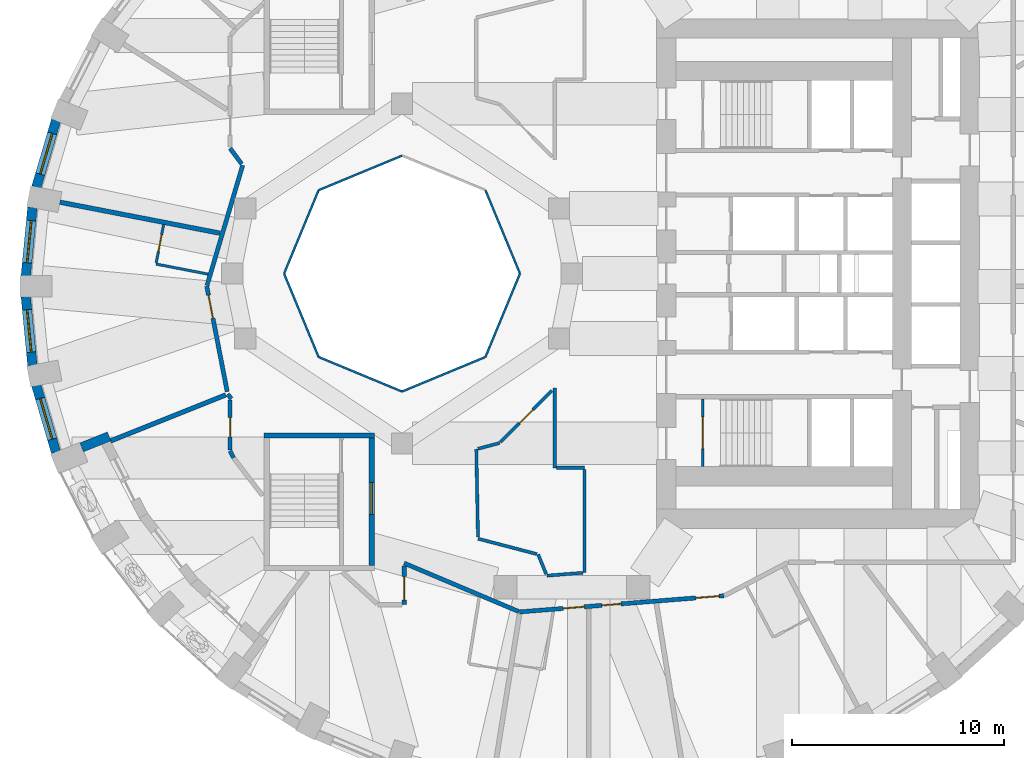
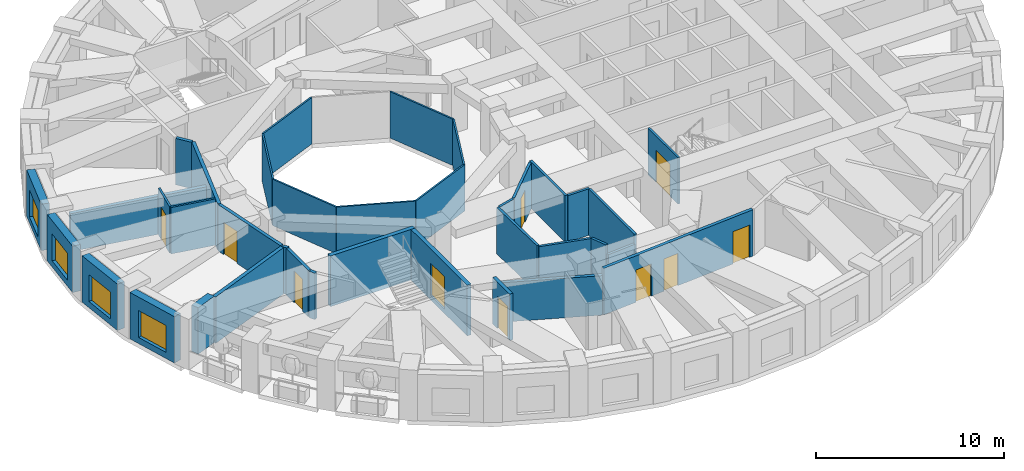
# One storey, part 4 of 12: 37 walls, 10 doors, 4 windows, 14 openings.
"""IFC4 building model written with IfcOpenShell, lengths in metres."""

from ifc_helpers import new_model, si_unit, direction, frame, frame_2d, origin, place, context, subcontext, project, spatial, rectangle, extrude, material, layer, layer_set, type_object, element, fill, save


model = new_model("IFC4")

# Units and contexts
model_context = context("Model", 3, precision=1e-05, world=origin(), true_north=direction((0.0, 1.0)))
body_context = subcontext(model_context, "Body", "Model", "MODEL_VIEW")
ifc_project = project(units=[si_unit("LENGTHUNIT", "METRE"), si_unit("AREAUNIT", "SQUARE_METRE"), si_unit("VOLUMEUNIT", "CUBIC_METRE"), si_unit("PLANEANGLEUNIT", "RADIAN"), si_unit("MASSUNIT", "GRAM", prefix="KILO")], contexts=[model_context])

# Site, building, storey
site_placement = place(None, origin())
site = spatial("IfcSite", under=ifc_project, at=site_placement, CompositionType="ELEMENT")
building_placement = place(site_placement, origin())
building = spatial("IfcBuilding", under=site, at=building_placement, Name="Taillehof Tower", CompositionType="ELEMENT")
storey_placement = place(building_placement, frame((0.0, 0.0, 88.89990234375)))
storey = spatial("IfcBuildingStorey", under=building, at=storey_placement, Name="L24", CompositionType="ELEMENT", Elevation=88.89990234375)

# Walls
ifc_material_1 = material(Name="Fire-resisting glass in steel frame", Category="steel")
ifc_layer_1 = layer(ifc_material_1, 0.10009765625)
ifc_layer_set_1 = layer_set([ifc_layer_1], Name="Atrium fire-resisting screen EI 60 100")
wall_type_1 = type_object("IfcWallType", Name="Atrium fire-resisting screen EI 60 100", PredefinedType="PARTITIONING", material=ifc_layer_set_1)
for number, where, z_axis, x_axis, name in (
    (1, (-2.44580078125, 0.0, 0.0), (0.0, 0.0, 1.0), (-0.382730523909, -0.923860025149, 0.0), "Atrium screen"),
    (2, (-4.07275390625, -3.92724609375, 0.0), (0.0, 0.0, 1.0), (-0.923860025149, -0.382730523909, 0.0), "Atrium screen"),
    (3, (-8.0, -5.55419921875, 0.0), (0.0, 0.0, 1.0), (-0.923860025149, 0.382730523909, 0.0), "Atrium screen"),
    (4, (-11.92724609375, -3.92724609375, 0.0), (0.0, 0.0, 1.0), (-0.382730523909, 0.923860025149, 0.0), "Atrium screen"),
    (5, (-13.55419921875, 0.0, 0.0), (0.0, 0.0, 1.0), (0.382730523909, 0.923860025149, 0.0), "Atrium screen"),
    (6, (-11.92724609375, 3.92724609375, 0.0), (0.0, 0.0, 1.0), (0.923860025149, 0.382730523909, 0.0), "Atrium screen"),
    (7, (-4.07275390625, 3.92724609375, 0.0), (0.0, 0.0, 1.0), (0.382730523909, -0.923860025149, 0.0), "Atrium screen"),
):
    element("IfcWall", number, at=place(storey_placement, frame(where, z_axis=z_axis, x_axis=x_axis)), inside=storey, type_object=wall_type_1, Name=name, PredefinedType="PARTITIONING", context=body_context, shape_type="SweptSolid", body=[
        extrude(rectangle(XDim=4.2509765625, YDim=0.10009765625, at=frame_2d((2.12548828125, 0.0))), origin(), (0.0, 0.0, 1.0), 3.02001953125),
    ])

# Wall, opening, window
ifc_material_2 = material(Name="Brick masonry", Category="masonry")
ifc_layer_2 = layer(ifc_material_2, 0.449951171875)
ifc_layer_set_2 = layer_set([ifc_layer_2], Name="Brick infill wall 450")
wall_type_2 = type_object("IfcWallType", Name="Brick infill wall 450", PredefinedType="SOLIDWALL", material=ifc_layer_set_2)
wall_1_placement = place(storey_placement, frame((-24.302001953125, 7.220703125, 0.0), z_axis=(0.0, 0.0, 1.0), x_axis=(-0.283071248438, -0.959098883488, 0.0)))
wall_1 = element("IfcWall", 8, at=wall_1_placement, inside=storey, type_object=wall_type_2, Name="Brick wall L24 bay 17", PredefinedType="SOLIDWALL", context=body_context, shape_type="SweptSolid", body=[
    extrude(rectangle(XDim=3.2861328125, YDim=0.449951171875, at=frame_2d((1.64306640625, 0.0))), origin(), (0.0, 0.0, 1.0), 3.02001953125),
])
opening_1_placement = place(wall_1_placement, frame((0.64306640625, 0.0, 0.39990234375)))
opening_1 = element("IfcOpeningElement", 9, at=opening_1_placement, cuts=wall_1, Name="Opening W2", PredefinedType="OPENING", context=body_context, shape_type="SweptSolid", body=[
    extrude(rectangle(XDim=2.0, YDim=1.75, at=frame_2d((1.0, 0.875))), frame((0.0, 0.23486328125, 0.0), z_axis=(0.0, -1.0, 0.0), x_axis=(1.0, 0.0, 0.0)), (0.0, 0.0, 1.0), 0.469970703125),
])
ifc_material_3 = material(Name="Aluminium window frame with clear double glazing", Category="aluminium")
window_type = type_object("IfcWindowType", Name="Deep-set window 2000x1750", PartitioningType="SINGLE_PANEL", PredefinedType="WINDOW", material=ifc_material_3)
window_1_placement = place(opening_1_placement, origin())
window_1 = element("IfcWindow", 10, at=window_1_placement, inside=storey, type_object=window_type, Name="W2", OverallHeight=1.75, OverallWidth=2.0, PartitioningType="SINGLE_PANEL", PredefinedType="WINDOW", context=body_context, shape_type="SweptSolid", body=[
    extrude(rectangle(XDim=2.0, YDim=1.75, at=frame_2d((1.0, 0.875))), frame((0.0, 0.034912109375, 0.0), z_axis=(0.0, -1.0, 0.0), x_axis=(1.0, 0.0, 0.0)), (0.0, 0.0, 1.0), 0.06005859375),
])
fill(opening_1, window_1)

wall_2_placement = place(storey_placement, frame((-25.414794921875, 3.12646484375, 0.0), z_axis=(0.0, 0.0, 1.0), x_axis=(-0.095967726544, -0.995384446062, 0.0)))
wall_2 = element("IfcWall", 11, at=wall_2_placement, inside=storey, type_object=wall_type_2, Name="Brick wall L24 bay 18", PredefinedType="SOLIDWALL", context=body_context, shape_type="SweptSolid", body=[
    extrude(rectangle(XDim=3.261474609375, YDim=0.449951171875, at=frame_2d((1.630859375, 0.0))), origin(), (0.0, 0.0, 1.0), 3.02001953125),
])
opening_2_placement = place(wall_2_placement, frame((0.630615234375, 0.0, 0.39990234375)))
opening_2 = element("IfcOpeningElement", 12, at=opening_2_placement, cuts=wall_2, Name="Opening W2", PredefinedType="OPENING", context=body_context, shape_type="SweptSolid", body=[
    extrude(rectangle(XDim=2.0, YDim=1.75, at=frame_2d((1.0, 0.875))), frame((0.0, 0.23486328125, 0.0), z_axis=(0.0, -1.0, 0.0), x_axis=(1.0, 0.0, 0.0)), (0.0, 0.0, 1.0), 0.469970703125),
])
window_2_placement = place(opening_2_placement, origin())
window_2 = element("IfcWindow", 13, at=window_2_placement, inside=storey, type_object=window_type, Name="W2", OverallHeight=1.75, OverallWidth=2.0, PartitioningType="SINGLE_PANEL", PredefinedType="WINDOW", context=body_context, shape_type="SweptSolid", body=[
    extrude(rectangle(XDim=2.0, YDim=1.75, at=frame_2d((1.0, 0.875))), frame((0.0, 0.034912109375, 0.0), z_axis=(0.0, -1.0, 0.0), x_axis=(1.0, 0.0, 0.0)), (0.0, 0.0, 1.0), 0.06005859375),
])
fill(opening_2, window_2)

wall_3_placement = place(storey_placement, frame((-25.727783203125, -1.080078125, 0.0), z_axis=(0.0, 0.0, 1.0), x_axis=(0.095967726544, -0.995384446062, 0.0)))
wall_3 = element("IfcWall", 14, at=wall_3_placement, inside=storey, type_object=wall_type_2, Name="Brick wall L24 bay 19", PredefinedType="SOLIDWALL", context=body_context, shape_type="SweptSolid", body=[
    extrude(rectangle(XDim=3.261474609375, YDim=0.449951171875, at=frame_2d((1.630859375, 0.0))), origin(), (0.0, 0.0, 1.0), 3.02001953125),
])
opening_3_placement = place(wall_3_placement, frame((0.630615234375, 0.0, 0.39990234375)))
opening_3 = element("IfcOpeningElement", 15, at=opening_3_placement, cuts=wall_3, Name="Opening W2", PredefinedType="OPENING", context=body_context, shape_type="SweptSolid", body=[
    extrude(rectangle(XDim=2.0, YDim=1.75, at=frame_2d((1.0, 0.875))), frame((0.0, 0.23486328125, 0.0), z_axis=(0.0, -1.0, 0.0), x_axis=(1.0, 0.0, 0.0)), (0.0, 0.0, 1.0), 0.469970703125),
])
window_3_placement = place(opening_3_placement, origin())
window_3 = element("IfcWindow", 16, at=window_3_placement, inside=storey, type_object=window_type, Name="W2", OverallHeight=1.75, OverallWidth=2.0, PartitioningType="SINGLE_PANEL", PredefinedType="WINDOW", context=body_context, shape_type="SweptSolid", body=[
    extrude(rectangle(XDim=2.0, YDim=1.75, at=frame_2d((1.0, 0.875))), frame((0.0, 0.034912109375, 0.0), z_axis=(0.0, -1.0, 0.0), x_axis=(1.0, 0.0, 0.0)), (0.0, 0.0, 1.0), 0.06005859375),
])
fill(opening_3, window_3)

wall_4_placement = place(storey_placement, frame((-25.232177734375, -5.26904296875, 0.0), z_axis=(0.0, 0.0, 1.0), x_axis=(0.283051078697, -0.959104836214, 0.0)))
wall_4 = element("IfcWall", 17, at=wall_4_placement, inside=storey, type_object=wall_type_2, Name="Brick wall L24 bay 20", PredefinedType="SOLIDWALL", context=body_context, shape_type="SweptSolid", body=[
    extrude(rectangle(XDim=3.2861328125, YDim=0.449951171875, at=frame_2d((1.64306640625, 0.0))), origin(), (0.0, 0.0, 1.0), 3.02001953125),
])
opening_4_placement = place(wall_4_placement, frame((0.64306640625, 0.0, 0.39990234375)))
opening_4 = element("IfcOpeningElement", 18, at=opening_4_placement, cuts=wall_4, Name="Opening W2", PredefinedType="OPENING", context=body_context, shape_type="SweptSolid", body=[
    extrude(rectangle(XDim=2.0, YDim=1.75, at=frame_2d((1.0, 0.875))), frame((0.0, 0.23486328125, 0.0), z_axis=(0.0, -1.0, 0.0), x_axis=(1.0, 0.0, 0.0)), (0.0, 0.0, 1.0), 0.469970703125),
])
window_4_placement = place(opening_4_placement, origin())
window_4 = element("IfcWindow", 19, at=window_4_placement, inside=storey, type_object=window_type, Name="W2", OverallHeight=1.75, OverallWidth=2.0, PartitioningType="SINGLE_PANEL", PredefinedType="WINDOW", context=body_context, shape_type="SweptSolid", body=[
    extrude(rectangle(XDim=2.0, YDim=1.75, at=frame_2d((1.0, 0.875))), frame((0.0, 0.034912109375, 0.0), z_axis=(0.0, -1.0, 0.0), x_axis=(1.0, 0.0, 0.0)), (0.0, 0.0, 1.0), 0.06005859375),
])
fill(opening_4, window_4)

# Walls
wall_5_placement = place(storey_placement, frame((-23.09326171875, -8.18701171875, 0.0), z_axis=(0.0, 0.0, 1.0), x_axis=(0.928549333349, 0.371209018665, 0.0)))
element("IfcWall", 20, at=wall_5_placement, inside=storey, type_object=wall_type_2, Name="Brick reveal L24 pocket 6", PredefinedType="SOLIDWALL", context=body_context, shape_type="SweptSolid", body=[
    extrude(rectangle(XDim=1.390380859375, YDim=0.449951171875, at=frame_2d((0.6953125, 0.0))), origin(), (0.0, 0.0, 1.0), 3.02001953125),
])
ifc_material_4 = material(Name="Gypsum board on steel studs, two layers each side", Category="steel")
ifc_layer_3 = layer(ifc_material_4, 0.199951171875)
ifc_layer_set_3 = layer_set([ifc_layer_3], Name="Compartment wall corridor 200")
wall_type_3 = type_object("IfcWallType", Name="Compartment wall corridor 200", PredefinedType="PARTITIONING", material=ifc_layer_set_3)
wall_6_placement = place(storey_placement, frame((-15.937744140625, -8.67626953125, 0.0), z_axis=(0.0, 0.0, 1.0), x_axis=(-0.456525695549, 0.889710227717, 0.0)))
element("IfcWall", 21, at=wall_6_placement, inside=storey, type_object=wall_type_3, Name="Compartment wall", PredefinedType="PARTITIONING", context=body_context, shape_type="SweptSolid", body=[
    extrude(rectangle(XDim=0.355712890625, YDim=0.199951171875, at=frame_2d((0.177734375, 0.0))), origin(), (0.0, 0.0, 1.0), 3.02001953125),
])

# Wall, opening, door
wall_7_placement = place(storey_placement, frame((-16.10009765625, -8.31982421875, 0.0), z_axis=(0.0, 0.0, 1.0), x_axis=(0.0, 1.0, 0.0)))
wall_7 = element("IfcWall", 22, at=wall_7_placement, inside=storey, type_object=wall_type_3, Name="Compartment wall", PredefinedType="PARTITIONING", context=body_context, shape_type="SweptSolid", body=[
    extrude(rectangle(XDim=2.35986328125, YDim=0.199951171875, at=frame_2d((1.179931640625, 0.0))), origin(), (0.0, 0.0, 1.0), 3.02001953125),
])
opening_5_placement = place(wall_7_placement, frame((0.6279296875, 0.0, 0.0)))
opening_5 = element("IfcOpeningElement", 23, at=opening_5_placement, cuts=wall_7, Name="Opening D2452", PredefinedType="OPENING", context=body_context, shape_type="SweptSolid", body=[
    extrude(rectangle(XDim=0.89990234375, YDim=2.10009765625, at=frame_2d((0.449951171875, 1.050048828125))), frame((0.0, 0.10986328125, 0.0), z_axis=(0.0, -1.0, 0.0), x_axis=(1.0, 0.0, 0.0)), (0.0, 0.0, 1.0), 0.219970703125),
])
ifc_material_5 = material(Name="Timber door leaf in steel frame", Category="steel")
door_type_1 = type_object("IfcDoorType", Name="Service room door EI 30 900 x 2100", OperationType="SINGLE_SWING_LEFT", PredefinedType="DOOR", material=ifc_material_5)
door_1_placement = place(opening_5_placement, origin())
door_1 = element("IfcDoor", 24, at=door_1_placement, inside=storey, type_object=door_type_1, Name="D2452", OperationType="SINGLE_SWING_RIGHT", OverallHeight=2.10009765625, OverallWidth=0.89990234375, PredefinedType="DOOR", context=body_context, shape_type="SweptSolid", body=[
    extrude(rectangle(XDim=0.89990234375, YDim=2.10009765625, at=frame_2d((0.449951171875, 1.050048828125))), frame((0.0, 0.02490234375, 0.0), z_axis=(0.0, -1.0, 0.0), x_axis=(1.0, 0.0, 0.0)), (0.0, 0.0, 1.0), 0.050048828125),
])
fill(opening_5, door_1)

# Wall
wall_8_placement = place(storey_placement, frame((-16.041015625, -5.89990234375, 0.0), z_axis=(0.0, 0.0, 1.0), x_axis=(-0.612489897904, 0.790478415243, 0.0)))
element("IfcWall", 25, at=wall_8_placement, inside=storey, type_object=wall_type_3, Name="Compartment wall", PredefinedType="PARTITIONING", context=body_context, shape_type="SweptSolid", body=[
    extrude(rectangle(XDim=0.27978515625, YDim=0.199951171875, at=frame_2d((0.139892578125, 0.0))), origin(), (0.0, 0.0, 1.0), 3.02001953125),
])

# Wall, opening, door
wall_9_placement = place(storey_placement, frame((-16.23583984375, -5.5615234375, 0.0), z_axis=(0.0, 0.0, 1.0), x_axis=(-0.190753296708, 0.981638008532, 0.0)))
wall_9 = element("IfcWall", 26, at=wall_9_placement, inside=storey, type_object=wall_type_3, Name="Compartment wall", PredefinedType="PARTITIONING", context=body_context, shape_type="SweptSolid", body=[
    extrude(rectangle(XDim=5.05419921875, YDim=0.199951171875, at=frame_2d((2.527099609375, 0.0))), origin(), (0.0, 0.0, 1.0), 3.02001953125),
])
opening_6_placement = place(wall_9_placement, frame((3.527587890625, 0.0, 0.0)))
opening_6 = element("IfcOpeningElement", 27, at=opening_6_placement, cuts=wall_9, Name="Opening D2450", PredefinedType="OPENING", context=body_context, shape_type="SweptSolid", body=[
    extrude(rectangle(XDim=1.10009765625, YDim=2.10009765625, at=frame_2d((0.550048828125, 1.050048828125))), frame((0.0, 0.10986328125, 0.0), z_axis=(0.0, -1.0, 0.0), x_axis=(1.0, 0.0, 0.0)), (0.0, 0.0, 1.0), 0.219970703125),
])
ifc_material_6 = material(Name="Timber door leaf in steel frame", Category="steel")
door_type_2 = type_object("IfcDoorType", Name="Suite entrance door EI 30 1100 x 2100", OperationType="SINGLE_SWING_LEFT", PredefinedType="DOOR", material=ifc_material_6)
door_2_placement = place(opening_6_placement, origin())
door_2 = element("IfcDoor", 28, at=door_2_placement, inside=storey, type_object=door_type_2, Name="D2450", OperationType="SINGLE_SWING_RIGHT", OverallHeight=2.10009765625, OverallWidth=1.10009765625, PredefinedType="DOOR", context=body_context, shape_type="SweptSolid", body=[
    extrude(rectangle(XDim=1.10009765625, YDim=2.10009765625, at=frame_2d((0.550048828125, 1.050048828125))), frame((0.0, 0.02490234375, 0.0), z_axis=(0.0, -1.0, 0.0), x_axis=(1.0, 0.0, 0.0)), (0.0, 0.0, 1.0), 0.050048828125),
])
fill(opening_6, door_2)

# Walls
wall_10_placement = place(storey_placement, frame((-17.188720703125, -0.5615234375, 0.0), z_axis=(0.0, 0.0, 1.0), x_axis=(0.28454253649, 0.95866341587, 0.0)))
element("IfcWall", 29, at=wall_10_placement, inside=storey, type_object=wall_type_3, Name="Compartment wall", PredefinedType="PARTITIONING", context=body_context, shape_type="SweptSolid", body=[
    extrude(rectangle(XDim=5.910888671875, YDim=0.199951171875, at=frame_2d((2.95556640625, 0.0))), origin(), (0.0, 0.0, 1.0), 3.02001953125),
])
wall_11_placement = place(storey_placement, frame((-15.5546875, 5.16943359375, 0.0), z_axis=(0.0, 0.0, 1.0), x_axis=(-0.598284647233, 0.801283645712, 0.0)))
element("IfcWall", 30, at=wall_11_placement, inside=storey, type_object=wall_type_3, Name="Compartment wall", PredefinedType="PARTITIONING", context=body_context, shape_type="SweptSolid", body=[
    extrude(rectangle(XDim=0.91162109375, YDim=0.199951171875, at=frame_2d((0.455810546875, 0.0))), origin(), (0.0, 0.0, 1.0), 3.02001953125),
])

# Wall, openings, doors
wall_12_placement = place(storey_placement, frame((7.157958984375, -15.17822265625, 0.0), z_axis=(0.0, 0.0, 1.0), x_axis=(-0.996871915552, -0.0790340685, 0.0)))
wall_12 = element("IfcWall", 31, at=wall_12_placement, inside=storey, type_object=wall_type_3, Name="Compartment wall", PredefinedType="PARTITIONING", context=body_context, shape_type="SweptSolid", body=[
    extrude(rectangle(XDim=9.647216796875, YDim=0.199951171875, at=frame_2d((4.82373046875, 0.0))), origin(), (0.0, 0.0, 1.0), 3.02001953125),
])
opening_7_placement = place(wall_12_placement, frame((6.587890625, 0.0, 0.0)))
opening_7 = element("IfcOpeningElement", 32, at=opening_7_placement, cuts=wall_12, Name="Opening D2455", PredefinedType="OPENING", context=body_context, shape_type="SweptSolid", body=[
    extrude(rectangle(XDim=1.0, YDim=2.10009765625, at=frame_2d((0.5, 1.050048828125))), frame((0.0, 0.10986328125, 0.0), z_axis=(0.0, -1.0, 0.0), x_axis=(1.0, 0.0, 0.0)), (0.0, 0.0, 1.0), 0.219970703125),
])
opening_8_placement = place(wall_12_placement, frame((4.85546875, 0.0, 0.0)))
opening_8 = element("IfcOpeningElement", 33, at=opening_8_placement, cuts=wall_12, Name="Opening D2457", PredefinedType="OPENING", context=body_context, shape_type="SweptSolid", body=[
    extrude(rectangle(XDim=0.89990234375, YDim=2.10009765625, at=frame_2d((0.449951171875, 1.050048828125))), frame((0.0, 0.10986328125, 0.0), z_axis=(0.0, -1.0, 0.0), x_axis=(1.0, 0.0, 0.0)), (0.0, 0.0, 1.0), 0.219970703125),
])
opening_9_placement = place(wall_12_placement, frame((0.219970703125, 0.0, 0.0)))
opening_9 = element("IfcOpeningElement", 34, at=opening_9_placement, cuts=wall_12, Name="Opening D2458", PredefinedType="OPENING", context=body_context, shape_type="SweptSolid", body=[
    extrude(rectangle(XDim=1.10009765625, YDim=2.10009765625, at=frame_2d((0.550048828125, 1.050048828125))), frame((0.0, 0.10986328125, 0.0), z_axis=(0.0, -1.0, 0.0), x_axis=(1.0, 0.0, 0.0)), (0.0, 0.0, 1.0), 0.219970703125),
])
ifc_material_7 = material(Name="Timber door leaf in steel frame", Category="steel")
door_type_3 = type_object("IfcDoorType", Name="Guest room door EI 30 1000 x 2100", OperationType="SINGLE_SWING_LEFT", PredefinedType="DOOR", material=ifc_material_7)
door_3_placement = place(opening_7_placement, origin())
door_3 = element("IfcDoor", 35, at=door_3_placement, inside=storey, type_object=door_type_3, Name="D2455", OperationType="SINGLE_SWING_LEFT", OverallHeight=2.10009765625, OverallWidth=1.0, PredefinedType="DOOR", context=body_context, shape_type="SweptSolid", body=[
    extrude(rectangle(XDim=1.0, YDim=2.10009765625, at=frame_2d((0.5, 1.050048828125))), frame((0.0, 0.02490234375, 0.0), z_axis=(0.0, -1.0, 0.0), x_axis=(1.0, 0.0, 0.0)), (0.0, 0.0, 1.0), 0.050048828125),
])
fill(opening_7, door_3)
door_4_placement = place(opening_8_placement, origin())
door_4 = element("IfcDoor", 36, at=door_4_placement, inside=storey, type_object=door_type_1, Name="D2457", OperationType="SINGLE_SWING_RIGHT", OverallHeight=2.10009765625, OverallWidth=0.89990234375, PredefinedType="DOOR", context=body_context, shape_type="SweptSolid", body=[
    extrude(rectangle(XDim=0.89990234375, YDim=2.10009765625, at=frame_2d((0.449951171875, 1.050048828125))), frame((0.0, 0.02490234375, 0.0), z_axis=(0.0, -1.0, 0.0), x_axis=(1.0, 0.0, 0.0)), (0.0, 0.0, 1.0), 0.050048828125),
])
fill(opening_8, door_4)
door_5_placement = place(opening_9_placement, origin())
door_5 = element("IfcDoor", 37, at=door_5_placement, inside=storey, type_object=door_type_2, Name="D2458", OperationType="SINGLE_SWING_RIGHT", OverallHeight=2.10009765625, OverallWidth=1.10009765625, PredefinedType="DOOR", context=body_context, shape_type="SweptSolid", body=[
    extrude(rectangle(XDim=1.10009765625, YDim=2.10009765625, at=frame_2d((0.550048828125, 1.050048828125))), frame((0.0, 0.02490234375, 0.0), z_axis=(0.0, -1.0, 0.0), x_axis=(1.0, 0.0, 0.0)), (0.0, 0.0, 1.0), 0.050048828125),
])
fill(opening_9, door_5)

# Wall
wall_13_placement = place(storey_placement, frame((-2.49560546875, -15.925048828125, 0.0), z_axis=(0.0, 0.0, 1.0), x_axis=(-0.921239287596, 0.388996368864, 0.0)))
element("IfcWall", 38, at=wall_13_placement, inside=storey, type_object=wall_type_3, Name="Compartment wall", PredefinedType="PARTITIONING", context=body_context, shape_type="SweptSolid", body=[
    extrude(rectangle(XDim=5.866455078125, YDim=0.199951171875, at=frame_2d((2.93310546875, 0.0))), origin(), (0.0, 0.0, 1.0), 2.570068359375),
])

# Wall, opening, door
wall_14_placement = place(storey_placement, frame((-7.89990234375, -13.783203125, 0.0), z_axis=(0.0, 0.0, 1.0), x_axis=(0.0, -1.0, 0.0)))
wall_14 = element("IfcWall", 39, at=wall_14_placement, inside=storey, type_object=wall_type_3, Name="Compartment wall", PredefinedType="PARTITIONING", context=body_context, shape_type="SweptSolid", body=[
    extrude(rectangle(XDim=1.81689453125, YDim=0.199951171875, at=frame_2d((0.908447265625, 0.0))), origin(), (0.0, 0.0, 1.0), 3.02001953125),
])
opening_10_placement = place(wall_14_placement, frame((0.496826171875, 0.0, 0.0)))
opening_10 = element("IfcOpeningElement", 40, at=opening_10_placement, cuts=wall_14, Name="Opening D2453", PredefinedType="OPENING", context=body_context, shape_type="SweptSolid", body=[
    extrude(rectangle(XDim=1.10009765625, YDim=2.10009765625, at=frame_2d((0.550048828125, 1.050048828125))), frame((0.0, 0.10986328125, 0.0), z_axis=(0.0, -1.0, 0.0), x_axis=(1.0, 0.0, 0.0)), (0.0, 0.0, 1.0), 0.219970703125),
])
door_6_placement = place(opening_10_placement, origin())
door_6 = element("IfcDoor", 41, at=door_6_placement, inside=storey, type_object=door_type_2, Name="D2453", OperationType="SINGLE_SWING_LEFT", OverallHeight=2.10009765625, OverallWidth=1.10009765625, PredefinedType="DOOR", context=body_context, shape_type="SweptSolid", body=[
    extrude(rectangle(XDim=1.10009765625, YDim=2.10009765625, at=frame_2d((0.550048828125, 1.050048828125))), frame((0.0, 0.02490234375, 0.0), z_axis=(0.0, -1.0, 0.0), x_axis=(1.0, 0.0, 0.0)), (0.0, 0.0, 1.0), 0.050048828125),
])
fill(opening_10, door_6)

# Walls
ifc_material_8 = material(Name="Gypsum board on double steel studs with mineral wool", Category="steel")
ifc_layer_4 = layer(ifc_material_8, 0.219970703125)
ifc_layer_set_4 = layer_set([ifc_layer_4], Name="Compartment wall guest room 220")
wall_type_4 = type_object("IfcWallType", Name="Compartment wall guest room 220", PredefinedType="PARTITIONING", material=ifc_layer_set_4)
wall_15_placement = place(storey_placement, frame((-24.117919921875, 3.3642578125, 0.0), z_axis=(0.0, 0.0, 1.0), x_axis=(0.981759939745, -0.19012475039, 0.0)))
element("IfcWall", 42, at=wall_15_placement, inside=storey, type_object=wall_type_4, Name="Compartment wall", PredefinedType="PARTITIONING", context=body_context, shape_type="SweptSolid", body=[
    extrude(rectangle(XDim=7.676513671875, YDim=0.219970703125, at=frame_2d((3.83837890625, 0.0))), origin(), (0.0, 0.0, 1.0), 2.47021484375),
])
wall_16_placement = place(storey_placement, frame((-21.735595703125, -7.88671875, 0.0), z_axis=(0.0, 0.0, 1.0), x_axis=(0.928522746632, 0.371275516277, 0.0)))
element("IfcWall", 43, at=wall_16_placement, inside=storey, type_object=wall_type_4, Name="Compartment wall", PredefinedType="PARTITIONING", context=body_context, shape_type="SweptSolid", body=[
    extrude(rectangle(XDim=5.848388671875, YDim=0.219970703125, at=frame_2d((2.92431640625, 0.0))), origin(), (0.0, 0.0, 1.0), 3.02001953125),
])
ifc_material_9 = material(Name="Gypsum board on steel studs, two layers each side", Category="steel")
ifc_layer_5 = layer(ifc_material_9, 0.14990234375)
ifc_layer_set_5 = layer_set([ifc_layer_5], Name="Compartment wall service room 150")
wall_type_5 = type_object("IfcWallType", Name="Compartment wall service room 150", PredefinedType="PARTITIONING", material=ifc_layer_set_5)
wall_17_placement = place(storey_placement, frame((-0.800048828125, -5.386474609375, 0.0), z_axis=(0.0, 0.0, 1.0), x_axis=(0.0, -1.0, 0.0)))
element("IfcWall", 44, at=wall_17_placement, inside=storey, type_object=wall_type_5, Name="Compartment wall", PredefinedType="PARTITIONING", context=body_context, shape_type="SweptSolid", body=[
    extrude(rectangle(XDim=3.763427734375, YDim=0.14990234375, at=frame_2d((1.8818359375, 0.0))), origin(), (0.0, 0.0, 1.0), 3.02001953125),
])
wall_18_placement = place(storey_placement, frame((-0.719970703125, -9.14990234375, 0.0), z_axis=(0.0, 0.0, 1.0), x_axis=(1.0, 0.0, 0.0)))
element("IfcWall", 45, at=wall_18_placement, inside=storey, type_object=wall_type_5, Name="Compartment wall", PredefinedType="PARTITIONING", context=body_context, shape_type="SweptSolid", body=[
    extrude(rectangle(XDim=1.320068359375, YDim=0.14990234375, at=frame_2d((0.66015625, 0.0))), origin(), (0.0, 0.0, 1.0), 3.02001953125),
])
wall_19_placement = place(storey_placement, frame((0.60009765625, -9.22998046875, 0.0), z_axis=(0.0, 0.0, 1.0), x_axis=(0.0, -1.0, 0.0)))
element("IfcWall", 46, at=wall_19_placement, inside=storey, type_object=wall_type_5, Name="Compartment wall", PredefinedType="PARTITIONING", context=body_context, shape_type="SweptSolid", body=[
    extrude(rectangle(XDim=4.863037109375, YDim=0.14990234375, at=frame_2d((2.431640625, 0.0))), origin(), (0.0, 0.0, 1.0), 3.02001953125),
])
wall_20_placement = place(storey_placement, frame((0.52001953125, -14.098876953125, 0.0), z_axis=(0.0, 0.0, 1.0), x_axis=(-0.99684577893, -0.079363045745, 0.0)))
element("IfcWall", 47, at=wall_20_placement, inside=storey, type_object=wall_type_5, Name="Compartment wall", PredefinedType="PARTITIONING", context=body_context, shape_type="SweptSolid", body=[
    extrude(rectangle(XDim=1.701171875, YDim=0.14990234375, at=frame_2d((0.8505859375, 0.0))), origin(), (0.0, 0.0, 1.0), 2.420166015625),
])
wall_21_placement = place(storey_placement, frame((-1.2060546875, -14.15966796875, 0.0), z_axis=(0.0, 0.0, 1.0), x_axis=(-0.378813066595, 0.925473209, 0.0)))
element("IfcWall", 48, at=wall_21_placement, inside=storey, type_object=wall_type_5, Name="Compartment wall", PredefinedType="PARTITIONING", context=body_context, shape_type="SweptSolid", body=[
    extrude(rectangle(XDim=1.002197265625, YDim=0.14990234375, at=frame_2d((0.5009765625, 0.0))), origin(), (0.0, 0.0, 1.0), 3.02001953125),
])
wall_22_placement = place(storey_placement, frame((-1.6435546875, -13.216796875, 0.0), z_axis=(0.0, 0.0, 1.0), x_axis=(-0.967446197993, 0.253076774891, 0.0)))
element("IfcWall", 49, at=wall_22_placement, inside=storey, type_object=wall_type_5, Name="Compartment wall", PredefinedType="PARTITIONING", context=body_context, shape_type="SweptSolid", body=[
    extrude(rectangle(XDim=2.867919921875, YDim=0.14990234375, at=frame_2d((1.43408203125, 0.0))), origin(), (0.0, 0.0, 1.0), 3.02001953125),
])
wall_23_placement = place(storey_placement, frame((-4.420166015625, -12.410888671875, 0.0), z_axis=(0.0, 0.0, 1.0), x_axis=(-0.01930438501, 0.999813652997, 0.0)))
element("IfcWall", 50, at=wall_23_placement, inside=storey, type_object=wall_type_5, Name="Compartment wall", PredefinedType="PARTITIONING", context=body_context, shape_type="SweptSolid", body=[
    extrude(rectangle(XDim=4.135498046875, YDim=0.14990234375, at=frame_2d((2.06787109375, 0.0))), origin(), (0.0, 0.0, 1.0), 3.02001953125),
])
wall_24_placement = place(storey_placement, frame((-4.4228515625, -8.255615234375, 0.0), z_axis=(0.0, 0.0, 1.0), x_axis=(0.965880568435, 0.258987890683, 0.0)))
element("IfcWall", 51, at=wall_24_placement, inside=storey, type_object=wall_type_5, Name="Compartment wall", PredefinedType="PARTITIONING", context=body_context, shape_type="SweptSolid", body=[
    extrude(rectangle(XDim=1.066162109375, YDim=0.14990234375, at=frame_2d((0.533203125, 0.0))), origin(), (0.0, 0.0, 1.0), 3.02001953125),
])

# Wall, opening, door
wall_25_placement = place(storey_placement, frame((-3.36474609375, -7.951171875, 0.0), z_axis=(0.0, 0.0, 1.0), x_axis=(0.707106781187, 0.707106781187, 0.0)))
wall_25 = element("IfcWall", 52, at=wall_25_placement, inside=storey, type_object=wall_type_5, Name="Compartment wall", PredefinedType="PARTITIONING", context=body_context, shape_type="SweptSolid", body=[
    extrude(rectangle(XDim=3.44677734375, YDim=0.14990234375, at=frame_2d((1.723388671875, 0.0))), origin(), (0.0, 0.0, 1.0), 3.02001953125),
])
opening_11_placement = place(wall_25_placement, frame((1.2734375, 0.0, 0.0)))
opening_11 = element("IfcOpeningElement", 53, at=opening_11_placement, cuts=wall_25, Name="Opening D2466", PredefinedType="OPENING", context=body_context, shape_type="SweptSolid", body=[
    extrude(rectangle(XDim=0.89990234375, YDim=2.10009765625, at=frame_2d((0.449951171875, 1.050048828125))), frame((0.0, 0.0849609375, 0.0), z_axis=(0.0, -1.0, 0.0), x_axis=(1.0, 0.0, 0.0)), (0.0, 0.0, 1.0), 0.169921875),
])
door_7_placement = place(opening_11_placement, origin())
door_7 = element("IfcDoor", 54, at=door_7_placement, inside=storey, type_object=door_type_1, Name="D2466", OperationType="SINGLE_SWING_LEFT", OverallHeight=2.10009765625, OverallWidth=0.89990234375, PredefinedType="DOOR", context=body_context, shape_type="SweptSolid", body=[
    extrude(rectangle(XDim=0.89990234375, YDim=2.10009765625, at=frame_2d((0.449951171875, 1.050048828125))), frame((0.0, 0.02490234375, 0.0), z_axis=(0.0, -1.0, 0.0), x_axis=(1.0, 0.0, 0.0)), (0.0, 0.0, 1.0), 0.050048828125),
])
fill(opening_11, door_7)

# Wall
ifc_material_10 = material(Name="Gypsum board on steel studs, moisture resistant", Category="steel")
ifc_layer_6 = layer(ifc_material_10, 0.1201171875)
ifc_layer_set_6 = layer_set([ifc_layer_6], Name="En-suite wall 120")
wall_type_6 = type_object("IfcWallType", Name="En-suite wall 120", PredefinedType="PARTITIONING", material=ifc_layer_set_6)
wall_26_placement = place(storey_placement, frame((-17.1337890625, -0.025634765625, 0.0), z_axis=(0.0, 0.0, 1.0), x_axis=(-0.98174757037, 0.190188611835, 0.0)))
element("IfcWall", 55, at=wall_26_placement, inside=storey, type_object=wall_type_6, Name="En-suite wall", PredefinedType="PARTITIONING", context=body_context, shape_type="SweptSolid", body=[
    extrude(rectangle(XDim=2.50439453125, YDim=0.1201171875, at=frame_2d((1.252197265625, 0.0))), origin(), (0.0, 0.0, 1.0), 3.02001953125),
])

# Wall, opening, door
wall_27_placement = place(storey_placement, frame((-19.580810546875, 0.50927734375, 0.0), z_axis=(0.0, 0.0, 1.0), x_axis=(0.189826955452, 0.981817562984, 0.0)))
wall_27 = element("IfcWall", 56, at=wall_27_placement, inside=storey, type_object=wall_type_6, Name="En-suite wall", PredefinedType="PARTITIONING", context=body_context, shape_type="SweptSolid", body=[
    extrude(rectangle(XDim=1.830078125, YDim=0.1201171875, at=frame_2d((0.9150390625, 0.0))), origin(), (0.0, 0.0, 1.0), 3.02001953125),
])
opening_12_placement = place(wall_27_placement, frame((0.5400390625, 0.0, 0.0)))
opening_12 = element("IfcOpeningElement", 57, at=opening_12_placement, cuts=wall_27, Name="Opening D2451", PredefinedType="OPENING", context=body_context, shape_type="SweptSolid", body=[
    extrude(rectangle(XDim=0.800048828125, YDim=2.10009765625, at=frame_2d((0.39990234375, 1.050048828125))), frame((0.0, 0.070068359375, 0.0), z_axis=(0.0, -1.0, 0.0), x_axis=(1.0, 0.0, 0.0)), (0.0, 0.0, 1.0), 0.14013671875),
])
ifc_material_11 = material(Name="Timber door leaf in steel frame", Category="steel")
door_type_4 = type_object("IfcDoorType", Name="En-suite door 800 x 2100", OperationType="SINGLE_SWING_LEFT", PredefinedType="DOOR", material=ifc_material_11)
door_8_placement = place(opening_12_placement, origin())
door_8 = element("IfcDoor", 58, at=door_8_placement, inside=storey, type_object=door_type_4, Name="D2451", OperationType="SINGLE_SWING_RIGHT", OverallHeight=2.10009765625, OverallWidth=0.800048828125, PredefinedType="DOOR", context=body_context, shape_type="SweptSolid", body=[
    extrude(rectangle(XDim=0.800048828125, YDim=2.10009765625, at=frame_2d((0.39990234375, 1.050048828125))), frame((0.0, 0.02490234375, 0.0), z_axis=(0.0, -1.0, 0.0), x_axis=(1.0, 0.0, 0.0)), (0.0, 0.0, 1.0), 0.050048828125),
])
fill(opening_12, door_8)

ifc_material_12 = material(Name="Concrete C50/60", Category="concrete")
ifc_layer_7 = layer(ifc_material_12, 0.1201171875)
ifc_layer_set_7 = layer_set([ifc_layer_7], Name="Stair lobby wall C50/60 120")
wall_type_7 = type_object("IfcWallType", Name="Stair lobby wall C50/60 120", PredefinedType="SHEAR", material=ifc_layer_set_7)
wall_28_placement = place(storey_placement, frame((6.159912109375, -9.10009765625, 0.0), z_axis=(0.0, 0.0, 1.0), x_axis=(0.0, 1.0, 0.0)))
wall_28 = element("IfcWall", 59, at=wall_28_placement, inside=storey, type_object=wall_type_7, Name="Compartment wall SW", PredefinedType="SHEAR", context=body_context, shape_type="SweptSolid", body=[
    extrude(rectangle(XDim=3.2001953125, YDim=0.1201171875, at=frame_2d((1.60009765625, 0.0))), origin(), (0.0, 0.0, 1.0), 3.02001953125),
])
opening_13_placement = place(wall_28_placement, frame((0.85009765625, 0.0, 0.0)))
opening_13 = element("IfcOpeningElement", 60, at=opening_13_placement, cuts=wall_28, Name="Opening D2411", PredefinedType="OPENING", context=body_context, shape_type="SweptSolid", body=[
    extrude(rectangle(XDim=1.5, YDim=2.10009765625, at=frame_2d((0.75, 1.050048828125))), frame((0.0, 0.070068359375, 0.0), z_axis=(0.0, -1.0, 0.0), x_axis=(1.0, 0.0, 0.0)), (0.0, 0.0, 1.0), 0.14013671875),
])
ifc_material_13 = material(Name="Steel-faced fire door", Category="steel")
door_type_5 = type_object("IfcDoorType", Name="Stair door 1500x2100", OperationType="DOUBLE_DOOR_SINGLE_SWING", PredefinedType="DOOR", material=ifc_material_13)
door_9_placement = place(opening_13_placement, origin())
door_9 = element("IfcDoor", 61, at=door_9_placement, inside=storey, type_object=door_type_5, Name="Stair lobby door S2", OperationType="DOUBLE_DOOR_SINGLE_SWING", OverallHeight=2.10009765625, OverallWidth=1.5, PredefinedType="DOOR", context=body_context, shape_type="SweptSolid", body=[
    extrude(rectangle(XDim=1.5, YDim=2.10009765625, at=frame_2d((0.75, 1.050048828125))), frame((0.0, 0.02490234375, 0.0), z_axis=(0.0, -1.0, 0.0), x_axis=(1.0, 0.0, 0.0)), (0.0, 0.0, 1.0), 0.050048828125),
])
fill(opening_13, door_9)

ifc_material_14 = material(Name="Concrete C50/60", Category="concrete")
ifc_layer_8 = layer(ifc_material_14, 0.25)
ifc_layer_set_8 = layer_set([ifc_layer_8], Name="Stair wall C50/60 250")
wall_type_8 = type_object("IfcWallType", Name="Stair wall C50/60 250", PredefinedType="SHEAR", material=ifc_layer_set_8)
wall_29_placement = place(storey_placement, frame((-9.425048828125, -13.75, -0.27978515625), z_axis=(0.0, 0.0, 1.0), x_axis=(0.0, 1.0, 0.0)))
wall_29 = element("IfcWall", 62, at=wall_29_placement, inside=storey, type_object=wall_type_8, Name="Stair wall SC", PredefinedType="SHEAR", context=body_context, shape_type="SweptSolid", body=[
    extrude(rectangle(XDim=6.0, YDim=0.25, at=frame_2d((3.0, 0.0))), origin(), (0.0, 0.0, 1.0), 3.2998046875),
])
opening_14_placement = place(wall_29_placement, frame((2.39990234375, 0.0, 0.280029296875)))
opening_14 = element("IfcOpeningElement", 63, at=opening_14_placement, cuts=wall_29, Name="Opening D2420", PredefinedType="OPENING", context=body_context, shape_type="SweptSolid", body=[
    extrude(rectangle(XDim=1.5, YDim=2.10009765625, at=frame_2d((0.75, 1.050048828125))), frame((0.0, 0.135009765625, 0.0), z_axis=(0.0, -1.0, 0.0), x_axis=(1.0, 0.0, 0.0)), (0.0, 0.0, 1.0), 0.27001953125),
])
door_10_placement = place(opening_14_placement, origin())
door_10 = element("IfcDoor", 64, at=door_10_placement, inside=storey, type_object=door_type_5, Name="Stair door S4", OperationType="DOUBLE_DOOR_SINGLE_SWING", OverallHeight=2.10009765625, OverallWidth=1.5, PredefinedType="DOOR", context=body_context, shape_type="SweptSolid", body=[
    extrude(rectangle(XDim=1.5, YDim=2.10009765625, at=frame_2d((0.75, 1.050048828125))), frame((0.0, 0.02490234375, 0.0), z_axis=(0.0, -1.0, 0.0), x_axis=(1.0, 0.0, 0.0)), (0.0, 0.0, 1.0), 0.050048828125),
])
fill(opening_14, door_10)

# Wall
wall_30_placement = place(storey_placement, frame((-14.5, -7.625, -0.27978515625), z_axis=(0.0, 0.0, 1.0), x_axis=(1.0, 0.0, 0.0)))
element("IfcWall", 65, at=wall_30_placement, inside=storey, type_object=wall_type_8, Name="Stair wall SC", PredefinedType="SHEAR", context=body_context, shape_type="SweptSolid", body=[
    extrude(rectangle(XDim=5.199951171875, YDim=0.25, at=frame_2d((2.60009765625, 0.0))), origin(), (0.0, 0.0, 1.0), 3.2998046875),
])

save(model, "model.ifc")
